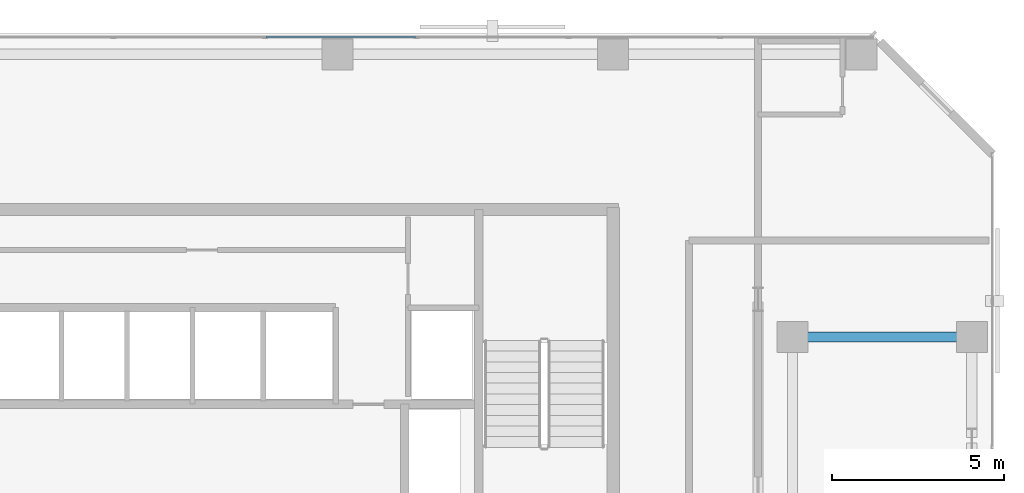
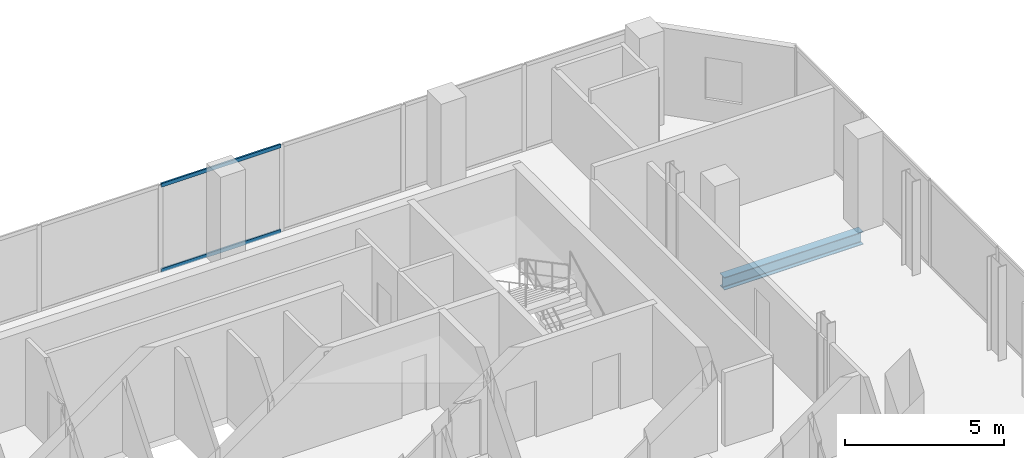
# One storey, part 23 of 34: 2 members, 1 beam, 1 element without a shape of its own.
"""IFC4 building model written with IfcOpenShell, lengths in metres."""

from ifc_helpers import new_model, si_unit, direction, frame, origin, origin_2d, place, context, subcontext, project, spatial, hollow_rectangle, i_section, extrude, material, layer, layer_set, material_profile, profile_set, type_object, element, aggregate, save


model = new_model("IFC4")

# Units and contexts
model_context = context("Model", 3, precision=1e-05, world=origin(), true_north=direction((0.0, 1.0)))
body_context = subcontext(model_context, "Body", "Model", "MODEL_VIEW")
ifc_project = project(units=[si_unit("LENGTHUNIT", "METRE"), si_unit("AREAUNIT", "SQUARE_METRE"), si_unit("VOLUMEUNIT", "CUBIC_METRE"), si_unit("PLANEANGLEUNIT", "RADIAN"), si_unit("MASSUNIT", "GRAM", prefix="KILO")], contexts=[model_context])

# Site, building, storey
site_placement = place(None, origin())
site = spatial("IfcSite", under=ifc_project, at=site_placement, CompositionType="ELEMENT")
building_placement = place(site_placement, origin())
building = spatial("IfcBuilding", under=site, at=building_placement, Name="Catumbela Crestline Tower", CompositionType="ELEMENT")
storey_placement = place(building_placement, frame((0.0, 0.0, 97.2)))
storey = spatial("IfcBuildingStorey", under=building, at=storey_placement, Name="L24", CompositionType="ELEMENT", Elevation=97.2)

# Beam
ifc_material_1 = material(Name="Structural steel S355J2", Category="steel")
ifc_material_profile_1 = material_profile(ifc_material_1, i_section(OverallWidth=0.3, OverallDepth=0.49, WebThickness=0.012, FlangeThickness=0.023, FilletRadius=0.027, at=origin_2d()), Name="HEA 500")
ifc_profile_set_1 = profile_set([ifc_material_profile_1], Name="Structural steel S355J2")
beam_type = type_object("IfcBeamType", Name="BG-HEA500", PredefinedType="BEAM", material=ifc_profile_set_1)
beam_placement = place(storey_placement, frame((45.28, 39.2, -0.505), z_axis=(1.0, 0.0, 0.0), x_axis=(0.0, 1.0, 0.0)))
element("IfcBeam", 1, at=beam_placement, inside=storey, type_object=beam_type, Name="L24 Beam BM-L24-N16", PredefinedType="BEAM", context=body_context, shape_type="SweptSolid", body=[
    extrude(i_section(OverallWidth=0.3, OverallDepth=0.49, WebThickness=0.012, FlangeThickness=0.023, FilletRadius=0.027, at=origin_2d()), origin(), (0.0, 0.0, 1.0), 5.04),
])

# Curtain wall, members
ifc_material_2 = material(Name="Aluminium alloy AW-6060-T66", Category="aluminium")
ifc_layer = layer(ifc_material_2, 0.18, Name="Aluminium alloy AW-6060-T66")
ifc_layer_set = layer_set([ifc_layer], Name="Aluminium alloy AW-6060-T66")
curtain_wall_type = type_object("IfcCurtainWallType", Name="CWU-Z2", PredefinedType="USERDEFINED", material=ifc_layer_set)
curtain_wall_placement = place(storey_placement, origin())
curtain_wall = element("IfcCurtainWall", 2, at=curtain_wall_placement, inside=storey, type_object=curtain_wall_type, Name="L24 Unitised Curtain Wall CW-L24-E7S1", ObjectType="UNITISED", PredefinedType="USERDEFINED")
ifc_material_profile_2 = material_profile(ifc_material_2, hollow_rectangle(XDim=0.06, YDim=0.14, WallThickness=0.004, at=origin_2d()), Name="ALU 140x60x4")
ifc_profile_set_2 = profile_set([ifc_material_profile_2], Name="Aluminium alloy AW-6060-T66")
member_type = type_object("IfcMemberType", Name="TRN-140X60", PredefinedType="USERDEFINED", material=ifc_profile_set_2)
member_1_placement = place(storey_placement, frame((34.2675, 47.9, 0.03), z_axis=(-1.0, 0.0, 0.0), x_axis=(0.0, -1.0, 0.0)))
member_1 = element("IfcMember", 3, at=member_1_placement, type_object=member_type, Name="CWU-Z2 transom 4.1", ObjectType="TRANSOM", PredefinedType="USERDEFINED", context=body_context, shape_type="SweptSolid", body=[
    extrude(hollow_rectangle(XDim=0.06, YDim=0.14, WallThickness=0.004, at=origin_2d()), origin(), (0.0, 0.0, 1.0), 4.335),
])
member_2_placement = place(storey_placement, frame((34.2675, 47.9, 3.3), z_axis=(-1.0, 0.0, 0.0), x_axis=(0.0, -1.0, 0.0)))
member_2 = element("IfcMember", 4, at=member_2_placement, type_object=member_type, Name="CWU-Z2 transom 4.2", ObjectType="TRANSOM", PredefinedType="USERDEFINED", context=body_context, shape_type="SweptSolid", body=[
    extrude(hollow_rectangle(XDim=0.06, YDim=0.14, WallThickness=0.004, at=origin_2d()), origin(), (0.0, 0.0, 1.0), 4.335),
])
aggregate(curtain_wall, [member_1, member_2])

save(model, "model.ifc")
